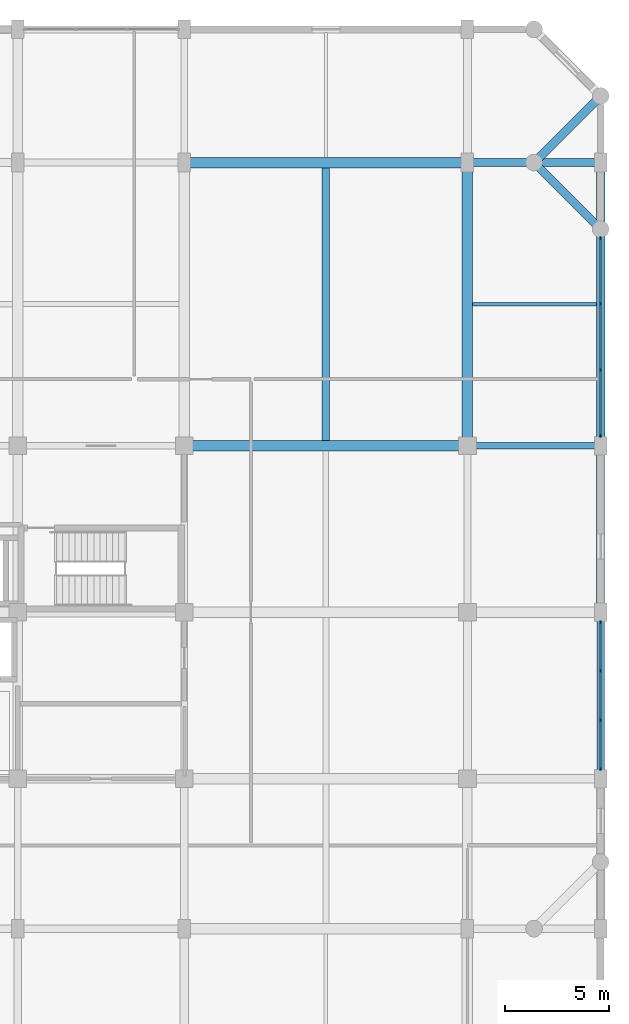
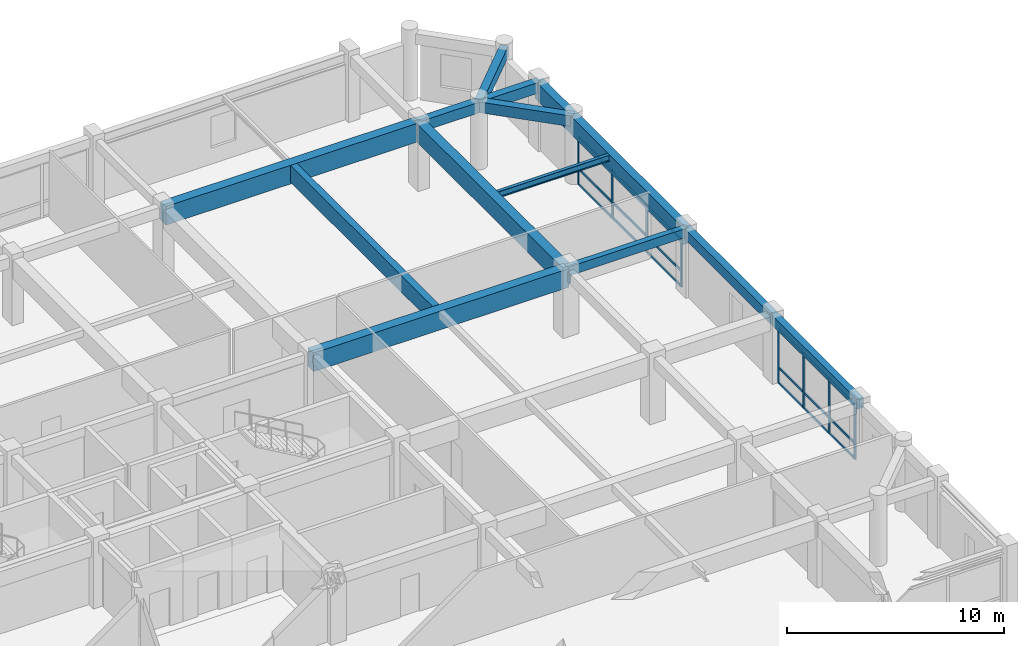
# One storey, part 13 of 27: 26 members, 12 beams, 2 elements without a shape of their own.
"""IFC4 building model written with IfcOpenShell, lengths in metres."""

from ifc_helpers import new_model, si_unit, direction, frame, origin, origin_2d, place, context, subcontext, project, spatial, rectangle, i_section, extrude, material, material_profile, profile_set, type_object, element, aggregate, save


model = new_model("IFC4")

# Units and contexts
model_context = context("Model", 3, precision=1e-05, world=origin(), true_north=direction((0.0, 1.0)))
body_context = subcontext(model_context, "Body", "Model", "MODEL_VIEW")
ifc_project = project(units=[si_unit("LENGTHUNIT", "METRE"), si_unit("AREAUNIT", "SQUARE_METRE"), si_unit("VOLUMEUNIT", "CUBIC_METRE"), si_unit("PLANEANGLEUNIT", "RADIAN"), si_unit("MASSUNIT", "GRAM", prefix="KILO")], contexts=[model_context])

# Site, building, storey
site_placement = place(None, origin())
site = spatial("IfcSite", under=ifc_project, at=site_placement, CompositionType="ELEMENT")
building_placement = place(site_placement, origin())
building = spatial("IfcBuilding", under=site, at=building_placement, Name="Vellmiral Cinema and Media Centre", CompositionType="ELEMENT")
storey_placement = place(building_placement, frame((0.0, 0.0, 19.800048828125)))
storey = spatial("IfcBuildingStorey", under=building, at=storey_placement, Name="L04", CompositionType="ELEMENT", Elevation=19.800048828125)

# Beams
ifc_material_1 = material(Name="Concrete C40/50", Category="concrete")
ifc_material_profile_1 = material_profile(ifc_material_1, rectangle(XDim=0.300048828125, YDim=0.5, at=origin_2d()), Name="RC 300x500")
ifc_profile_set_1 = profile_set([ifc_material_profile_1], Name="Concrete C40/50")
beam_type_1 = type_object("IfcBeamType", Name="BM-RC-300x500", PredefinedType="BEAM", material=ifc_profile_set_1)
beam_1_placement = place(storey_placement, frame((161.60009765625, 95.199951171875, 3.445068359375), z_axis=(1.0, 0.0, 0.0), x_axis=(0.0, 1.0, 0.0)))
element("IfcBeam", 1, at=beam_1_placement, inside=storey, type_object=beam_type_1, Name="Grid Beam L04-X047", PredefinedType="BEAM", context=body_context, shape_type="SweptSolid", body=[
    extrude(rectangle(XDim=0.300048828125, YDim=0.5, at=origin_2d()), origin(), (0.0, 0.0, 1.0), 6.39990234375),
])
ifc_material_2 = material(Name="Concrete C40/50", Category="concrete")
ifc_material_profile_2 = material_profile(ifc_material_2, rectangle(XDim=0.39990234375, YDim=0.60009765625, at=origin_2d()), Name="RC 400x600")
ifc_profile_set_2 = profile_set([ifc_material_profile_2], Name="Concrete C40/50")
beam_type_2 = type_object("IfcBeamType", Name="BM-RC-400x600", PredefinedType="BEAM", material=ifc_profile_set_2)
beam_2_placement = place(storey_placement, frame((161.60009765625, 108.800048828125, 3.39501953125), z_axis=(1.0, 0.0, 0.0), x_axis=(0.0, 1.0, 0.0)))
element("IfcBeam", 2, at=beam_2_placement, inside=storey, type_object=beam_type_2, Name="Grid Beam L04-X054", PredefinedType="BEAM", context=body_context, shape_type="SweptSolid", body=[
    extrude(rectangle(XDim=0.39990234375, YDim=0.60009765625, at=origin_2d()), origin(), (0.0, 0.0, 1.0), 6.39990234375),
])
ifc_material_3 = material(Name="Concrete C40/50", Category="concrete")
ifc_material_profile_3 = material_profile(ifc_material_3, rectangle(XDim=0.5, YDim=1.050048828125, at=origin_2d()), Name="RC 500x1050")
ifc_profile_set_3 = profile_set([ifc_material_profile_3], Name="Concrete C40/50")
beam_type_3 = type_object("IfcBeamType", Name="BM-RCG-500x1050", PredefinedType="BEAM", material=ifc_profile_set_3)
for number, where, z_axis, x_axis, name in (
    (3, (148.0, 95.199951171875, 3.169921875), (1.0, 0.0, 0.0), (0.0, 1.0, 0.0), "Grid Beam L04-X046"),
    (4, (148.0, 108.800048828125, 3.169921875), (1.0, 0.0, 0.0), (0.0, 1.0, 0.0), "Grid Beam L04-X053"),
    (5, (161.60009765625, 95.199951171875, 3.169921875), (0.0, 1.0, 0.0), (-1.0, 0.0, 0.0), "Grid Beam L04-Y108"),
):
    element("IfcBeam", number, at=place(storey_placement, frame(where, z_axis=z_axis, x_axis=x_axis)), inside=storey, type_object=beam_type_3, Name=name, PredefinedType="BEAM", context=body_context, shape_type="SweptSolid", body=[
        extrude(rectangle(XDim=0.5, YDim=1.050048828125, at=origin_2d()), origin(), (0.0, 0.0, 1.0), 13.60009765625),
    ])

# Curtain wall, members
ifc_material_4 = material(Name="Thermally Broken Aluminium and Triple Glazing", Category="aluminium")
curtain_wall_type = type_object("IfcCurtainWallType", Name="CW-TOWER-LOW-S", PredefinedType="USERDEFINED", material=ifc_material_4)
curtain_wall_1_placement = place(storey_placement, origin())
curtain_wall_1 = element("IfcCurtainWall", 6, at=curtain_wall_1_placement, inside=storey, type_object=curtain_wall_type, Name="Curtain Wall L04-B015", ObjectType="UNITISED CURTAIN WALL", PredefinedType="USERDEFINED")
ifc_material_5 = material(Name="Thermally Broken Anodised Aluminium", Category="aluminium")
ifc_material_profile_4 = material_profile(ifc_material_5, rectangle(XDim=0.06494140625, YDim=0.159912109375, at=origin_2d()), Name="MULL 65x160")
ifc_profile_set_4 = profile_set([ifc_material_profile_4], Name="Thermally Broken Anodised Aluminium")
member_type_1 = type_object("IfcMemberType", Name="CWM-65x160", PredefinedType="MULLION", material=ifc_profile_set_4)
member_1_placement = place(storey_placement, frame((168.0, 79.6826171875, 0.0), z_axis=(0.0, 0.0, 1.0), x_axis=(-1.0, 0.0, 0.0)))
member_1 = element("IfcMember", 7, at=member_1_placement, type_object=member_type_1, Name="CW-06 mullion 1", PredefinedType="MULLION", context=body_context, shape_type="SweptSolid", body=[
    extrude(rectangle(XDim=0.06494140625, YDim=0.159912109375, at=origin_2d()), origin(), (0.0, 0.0, 1.0), 3.099853515625),
])
member_2_placement = place(storey_placement, frame((168.0, 82.0166015625, 0.0), z_axis=(0.0, 0.0, 1.0), x_axis=(-1.0, 0.0, 0.0)))
member_2 = element("IfcMember", 8, at=member_2_placement, type_object=member_type_1, Name="CW-06 mullion 2", PredefinedType="MULLION", context=body_context, shape_type="SweptSolid", body=[
    extrude(rectangle(XDim=0.06494140625, YDim=0.159912109375, at=origin_2d()), origin(), (0.0, 0.0, 1.0), 3.099853515625),
])
member_3_placement = place(storey_placement, frame((168.0, 84.38330078125, 0.0), z_axis=(0.0, 0.0, 1.0), x_axis=(-1.0, 0.0, 0.0)))
member_3 = element("IfcMember", 9, at=member_3_placement, type_object=member_type_1, Name="CW-06 mullion 3", PredefinedType="MULLION", context=body_context, shape_type="SweptSolid", body=[
    extrude(rectangle(XDim=0.06494140625, YDim=0.159912109375, at=origin_2d()), origin(), (0.0, 0.0, 1.0), 3.099853515625),
])
member_4_placement = place(storey_placement, frame((168.0, 86.717529296875, 0.0), z_axis=(0.0, 0.0, 1.0), x_axis=(-1.0, 0.0, 0.0)))
member_4 = element("IfcMember", 10, at=member_4_placement, type_object=member_type_1, Name="CW-06 mullion 4", PredefinedType="MULLION", context=body_context, shape_type="SweptSolid", body=[
    extrude(rectangle(XDim=0.06494140625, YDim=0.159912109375, at=origin_2d()), origin(), (0.0, 0.0, 1.0), 3.099853515625),
])

curtain_wall_2_placement = place(storey_placement, origin())
curtain_wall_2 = element("IfcCurtainWall", 11, at=curtain_wall_2_placement, inside=storey, type_object=curtain_wall_type, Name="Curtain Wall L04-B017", ObjectType="UNITISED CURTAIN WALL", PredefinedType="USERDEFINED")
member_5_placement = place(storey_placement, frame((168.0, 95.6826171875, 0.0), z_axis=(0.0, 0.0, 1.0), x_axis=(-1.0, 0.0, 0.0)))
member_5 = element("IfcMember", 12, at=member_5_placement, type_object=member_type_1, Name="CW-06 mullion 1", PredefinedType="MULLION", context=body_context, shape_type="SweptSolid", body=[
    extrude(rectangle(XDim=0.06494140625, YDim=0.159912109375, at=origin_2d()), origin(), (0.0, 0.0, 1.0), 2.68505859375),
])
member_6_placement = place(storey_placement, frame((168.0, 98.833251953125, 0.0), z_axis=(0.0, 0.0, 1.0), x_axis=(-1.0, 0.0, 0.0)))
member_6 = element("IfcMember", 13, at=member_6_placement, type_object=member_type_1, Name="CW-06 mullion 2", PredefinedType="MULLION", context=body_context, shape_type="SweptSolid", body=[
    extrude(rectangle(XDim=0.06494140625, YDim=0.159912109375, at=origin_2d()), origin(), (0.0, 0.0, 1.0), 2.68505859375),
])
member_7_placement = place(storey_placement, frame((168.0, 102.0166015625, 0.0), z_axis=(0.0, 0.0, 1.0), x_axis=(-1.0, 0.0, 0.0)))
member_7 = element("IfcMember", 14, at=member_7_placement, type_object=member_type_1, Name="CW-06 mullion 3", PredefinedType="MULLION", context=body_context, shape_type="SweptSolid", body=[
    extrude(rectangle(XDim=0.06494140625, YDim=0.159912109375, at=origin_2d()), origin(), (0.0, 0.0, 1.0), 2.68505859375),
])
member_8_placement = place(storey_placement, frame((168.0, 105.16748046875, 0.0), z_axis=(0.0, 0.0, 1.0), x_axis=(-1.0, 0.0, 0.0)))
member_8 = element("IfcMember", 15, at=member_8_placement, type_object=member_type_1, Name="CW-06 mullion 4", PredefinedType="MULLION", context=body_context, shape_type="SweptSolid", body=[
    extrude(rectangle(XDim=0.06494140625, YDim=0.159912109375, at=origin_2d()), origin(), (0.0, 0.0, 1.0), 2.68505859375),
])

# Member
ifc_material_6 = material(Name="Thermally Broken Anodised Aluminium", Category="aluminium")
ifc_material_profile_5 = material_profile(ifc_material_6, rectangle(XDim=0.06494140625, YDim=0.135009765625, at=origin_2d()), Name="MULL 65x135")
ifc_profile_set_5 = profile_set([ifc_material_profile_5], Name="Thermally Broken Anodised Aluminium")
member_type_2 = type_object("IfcMemberType", Name="CWT-65x135", PredefinedType="USERDEFINED", material=ifc_profile_set_5)
member_9_placement = place(storey_placement, frame((168.0, 79.715087890625, 0.032470703125), z_axis=(0.0, 1.0, 0.0), x_axis=(-1.0, 0.0, 0.0)))
member_9 = element("IfcMember", 16, at=member_9_placement, type_object=member_type_2, Name="CW-06 transom 1.1", ObjectType="TRANSOM", PredefinedType="USERDEFINED", context=body_context, shape_type="SweptSolid", body=[
    extrude(rectangle(XDim=0.06494140625, YDim=0.135009765625, at=origin_2d()), origin(), (0.0, 0.0, 1.0), 2.26904296875),
])

member_10_placement = place(storey_placement, frame((168.0, 79.715087890625, 0.89990234375), z_axis=(0.0, 1.0, 0.0), x_axis=(-1.0, 0.0, 0.0)))
member_10 = element("IfcMember", 17, at=member_10_placement, type_object=member_type_2, Name="CW-06 transom 1.2", ObjectType="TRANSOM", PredefinedType="USERDEFINED", context=body_context, shape_type="SweptSolid", body=[
    extrude(rectangle(XDim=0.06494140625, YDim=0.135009765625, at=origin_2d()), origin(), (0.0, 0.0, 1.0), 2.26904296875),
])

member_11_placement = place(storey_placement, frame((168.0, 79.715087890625, 3.0673828125), z_axis=(0.0, 1.0, 0.0), x_axis=(-1.0, 0.0, 0.0)))
member_11 = element("IfcMember", 18, at=member_11_placement, type_object=member_type_2, Name="CW-06 transom 1.3", ObjectType="TRANSOM", PredefinedType="USERDEFINED", context=body_context, shape_type="SweptSolid", body=[
    extrude(rectangle(XDim=0.06494140625, YDim=0.135009765625, at=origin_2d()), origin(), (0.0, 0.0, 1.0), 2.26904296875),
])

member_12_placement = place(storey_placement, frame((168.0, 82.049072265625, 0.032470703125), z_axis=(0.0, 1.0, 0.0), x_axis=(-1.0, 0.0, 0.0)))
member_12 = element("IfcMember", 19, at=member_12_placement, type_object=member_type_2, Name="CW-06 transom 2.1", ObjectType="TRANSOM", PredefinedType="USERDEFINED", context=body_context, shape_type="SweptSolid", body=[
    extrude(rectangle(XDim=0.06494140625, YDim=0.135009765625, at=origin_2d()), origin(), (0.0, 0.0, 1.0), 2.3017578125),
])

member_13_placement = place(storey_placement, frame((168.0, 82.049072265625, 0.89990234375), z_axis=(0.0, 1.0, 0.0), x_axis=(-1.0, 0.0, 0.0)))
member_13 = element("IfcMember", 20, at=member_13_placement, type_object=member_type_2, Name="CW-06 transom 2.2", ObjectType="TRANSOM", PredefinedType="USERDEFINED", context=body_context, shape_type="SweptSolid", body=[
    extrude(rectangle(XDim=0.06494140625, YDim=0.135009765625, at=origin_2d()), origin(), (0.0, 0.0, 1.0), 2.3017578125),
])

member_14_placement = place(storey_placement, frame((168.0, 82.049072265625, 3.0673828125), z_axis=(0.0, 1.0, 0.0), x_axis=(-1.0, 0.0, 0.0)))
member_14 = element("IfcMember", 21, at=member_14_placement, type_object=member_type_2, Name="CW-06 transom 2.3", ObjectType="TRANSOM", PredefinedType="USERDEFINED", context=body_context, shape_type="SweptSolid", body=[
    extrude(rectangle(XDim=0.06494140625, YDim=0.135009765625, at=origin_2d()), origin(), (0.0, 0.0, 1.0), 2.3017578125),
])

member_15_placement = place(storey_placement, frame((168.0, 84.415771484375, 0.032470703125), z_axis=(0.0, 1.0, 0.0), x_axis=(-1.0, 0.0, 0.0)))
member_15 = element("IfcMember", 22, at=member_15_placement, type_object=member_type_2, Name="CW-06 transom 3.1", ObjectType="TRANSOM", PredefinedType="USERDEFINED", context=body_context, shape_type="SweptSolid", body=[
    extrude(rectangle(XDim=0.06494140625, YDim=0.135009765625, at=origin_2d()), origin(), (0.0, 0.0, 1.0), 2.269287109375),
])

member_16_placement = place(storey_placement, frame((168.0, 84.415771484375, 0.89990234375), z_axis=(0.0, 1.0, 0.0), x_axis=(-1.0, 0.0, 0.0)))
member_16 = element("IfcMember", 23, at=member_16_placement, type_object=member_type_2, Name="CW-06 transom 3.2", ObjectType="TRANSOM", PredefinedType="USERDEFINED", context=body_context, shape_type="SweptSolid", body=[
    extrude(rectangle(XDim=0.06494140625, YDim=0.135009765625, at=origin_2d()), origin(), (0.0, 0.0, 1.0), 2.269287109375),
])

member_17_placement = place(storey_placement, frame((168.0, 84.415771484375, 3.0673828125), z_axis=(0.0, 1.0, 0.0), x_axis=(-1.0, 0.0, 0.0)))
member_17 = element("IfcMember", 24, at=member_17_placement, type_object=member_type_2, Name="CW-06 transom 3.3", ObjectType="TRANSOM", PredefinedType="USERDEFINED", context=body_context, shape_type="SweptSolid", body=[
    extrude(rectangle(XDim=0.06494140625, YDim=0.135009765625, at=origin_2d()), origin(), (0.0, 0.0, 1.0), 2.269287109375),
])

aggregate(curtain_wall_1, [member_1, member_2, member_3, member_4, member_9, member_10, member_11, member_12, member_13, member_14, member_15, member_16, member_17])

member_18_placement = place(storey_placement, frame((168.0, 95.715087890625, 0.032470703125), z_axis=(0.0, 1.0, 0.0), x_axis=(-1.0, 0.0, 0.0)))
member_18 = element("IfcMember", 25, at=member_18_placement, type_object=member_type_2, Name="CW-06 transom 1.1", ObjectType="TRANSOM", PredefinedType="USERDEFINED", context=body_context, shape_type="SweptSolid", body=[
    extrude(rectangle(XDim=0.06494140625, YDim=0.135009765625, at=origin_2d()), origin(), (0.0, 0.0, 1.0), 3.085693359375),
])

member_19_placement = place(storey_placement, frame((168.0, 95.715087890625, 0.89990234375), z_axis=(0.0, 1.0, 0.0), x_axis=(-1.0, 0.0, 0.0)))
member_19 = element("IfcMember", 26, at=member_19_placement, type_object=member_type_2, Name="CW-06 transom 1.2", ObjectType="TRANSOM", PredefinedType="USERDEFINED", context=body_context, shape_type="SweptSolid", body=[
    extrude(rectangle(XDim=0.06494140625, YDim=0.135009765625, at=origin_2d()), origin(), (0.0, 0.0, 1.0), 3.085693359375),
])

member_20_placement = place(storey_placement, frame((168.0, 95.715087890625, 2.65234375), z_axis=(0.0, 1.0, 0.0), x_axis=(-1.0, 0.0, 0.0)))
member_20 = element("IfcMember", 27, at=member_20_placement, type_object=member_type_2, Name="CW-06 transom 1.3", ObjectType="TRANSOM", PredefinedType="USERDEFINED", context=body_context, shape_type="SweptSolid", body=[
    extrude(rectangle(XDim=0.06494140625, YDim=0.135009765625, at=origin_2d()), origin(), (0.0, 0.0, 1.0), 3.085693359375),
])

member_21_placement = place(storey_placement, frame((168.0, 98.86572265625, 0.032470703125), z_axis=(0.0, 1.0, 0.0), x_axis=(-1.0, 0.0, 0.0)))
member_21 = element("IfcMember", 28, at=member_21_placement, type_object=member_type_2, Name="CW-06 transom 2.1", ObjectType="TRANSOM", PredefinedType="USERDEFINED", context=body_context, shape_type="SweptSolid", body=[
    extrude(rectangle(XDim=0.06494140625, YDim=0.135009765625, at=origin_2d()), origin(), (0.0, 0.0, 1.0), 3.118408203125),
])

member_22_placement = place(storey_placement, frame((168.0, 98.86572265625, 0.89990234375), z_axis=(0.0, 1.0, 0.0), x_axis=(-1.0, 0.0, 0.0)))
member_22 = element("IfcMember", 29, at=member_22_placement, type_object=member_type_2, Name="CW-06 transom 2.2", ObjectType="TRANSOM", PredefinedType="USERDEFINED", context=body_context, shape_type="SweptSolid", body=[
    extrude(rectangle(XDim=0.06494140625, YDim=0.135009765625, at=origin_2d()), origin(), (0.0, 0.0, 1.0), 3.118408203125),
])

member_23_placement = place(storey_placement, frame((168.0, 98.86572265625, 2.65234375), z_axis=(0.0, 1.0, 0.0), x_axis=(-1.0, 0.0, 0.0)))
member_23 = element("IfcMember", 30, at=member_23_placement, type_object=member_type_2, Name="CW-06 transom 2.3", ObjectType="TRANSOM", PredefinedType="USERDEFINED", context=body_context, shape_type="SweptSolid", body=[
    extrude(rectangle(XDim=0.06494140625, YDim=0.135009765625, at=origin_2d()), origin(), (0.0, 0.0, 1.0), 3.118408203125),
])

member_24_placement = place(storey_placement, frame((168.0, 102.049072265625, 0.032470703125), z_axis=(0.0, 1.0, 0.0), x_axis=(-1.0, 0.0, 0.0)))
member_24 = element("IfcMember", 31, at=member_24_placement, type_object=member_type_2, Name="CW-06 transom 3.1", ObjectType="TRANSOM", PredefinedType="USERDEFINED", context=body_context, shape_type="SweptSolid", body=[
    extrude(rectangle(XDim=0.06494140625, YDim=0.135009765625, at=origin_2d()), origin(), (0.0, 0.0, 1.0), 3.0859375),
])

member_25_placement = place(storey_placement, frame((168.0, 102.049072265625, 0.89990234375), z_axis=(0.0, 1.0, 0.0), x_axis=(-1.0, 0.0, 0.0)))
member_25 = element("IfcMember", 32, at=member_25_placement, type_object=member_type_2, Name="CW-06 transom 3.2", ObjectType="TRANSOM", PredefinedType="USERDEFINED", context=body_context, shape_type="SweptSolid", body=[
    extrude(rectangle(XDim=0.06494140625, YDim=0.135009765625, at=origin_2d()), origin(), (0.0, 0.0, 1.0), 3.0859375),
])

member_26_placement = place(storey_placement, frame((168.0, 102.049072265625, 2.65234375), z_axis=(0.0, 1.0, 0.0), x_axis=(-1.0, 0.0, 0.0)))
member_26 = element("IfcMember", 33, at=member_26_placement, type_object=member_type_2, Name="CW-06 transom 3.3", ObjectType="TRANSOM", PredefinedType="USERDEFINED", context=body_context, shape_type="SweptSolid", body=[
    extrude(rectangle(XDim=0.06494140625, YDim=0.135009765625, at=origin_2d()), origin(), (0.0, 0.0, 1.0), 3.0859375),
])

aggregate(curtain_wall_2, [member_5, member_6, member_7, member_8, member_18, member_19, member_20, member_21, member_22, member_23, member_24, member_25, member_26])

# Beams
ifc_material_7 = material(Name="Concrete C40/50", Category="concrete")
ifc_material_profile_6 = material_profile(ifc_material_7, rectangle(XDim=0.35009765625, YDim=0.949951171875, at=origin_2d()), Name="RC 350x950")
ifc_profile_set_6 = profile_set([ifc_material_profile_6], Name="Concrete C40/50")
beam_type_4 = type_object("IfcBeamType", Name="JST-RCG-350x950", PredefinedType="JOIST", material=ifc_profile_set_6)
beam_3_placement = place(storey_placement, frame((154.800048828125, 95.449951171875, 3.219970703125), z_axis=(0.0, 1.0, 0.0), x_axis=(-1.0, 0.0, 0.0)))
element("IfcBeam", 34, at=beam_3_placement, inside=storey, type_object=beam_type_4, Name="Secondary Floor Joist L04-011", PredefinedType="JOIST", context=body_context, shape_type="SweptSolid", body=[
    extrude(rectangle(XDim=0.35009765625, YDim=0.949951171875, at=origin_2d()), origin(), (0.0, 0.0, 1.0), 13.10009765625),
])
ifc_material_8 = material(Name="Steel S355", Category="steel")
ifc_material_profile_7 = material_profile(ifc_material_8, i_section(OverallWidth=0.169921875, OverallDepth=0.360107421875, WebThickness=0.008056640625, FlangeThickness=0.0126953125, FilletRadius=0.01806640625, at=origin_2d()), Name="IPE 360")
ifc_profile_set_7 = profile_set([ifc_material_profile_7], Name="Steel S355")
beam_type_5 = type_object("IfcBeamType", Name="SBM-IPE360", PredefinedType="JOIST", material=ifc_profile_set_7)
beam_4_placement = place(storey_placement, frame((161.85009765625, 102.0, 3.514892578125), z_axis=(1.0, 0.0, 0.0), x_axis=(0.0, 1.0, 0.0)))
element("IfcBeam", 35, at=beam_4_placement, inside=storey, type_object=beam_type_5, Name="Secondary Floor Joist L04-013", PredefinedType="JOIST", context=body_context, shape_type="SweptSolid", body=[
    extrude(i_section(OverallWidth=0.169921875, OverallDepth=0.360107421875, WebThickness=0.008056640625, FlangeThickness=0.0126953125, FilletRadius=0.01806640625, at=origin_2d()), origin(), (0.0, 0.0, 1.0), 5.93994140625),
])
ifc_material_9 = material(Name="Concrete C40/50", Category="concrete")
ifc_material_profile_8 = material_profile(ifc_material_9, rectangle(XDim=0.35009765625, YDim=0.56005859375, at=origin_2d()), Name="RC 350x560")
ifc_profile_set_8 = profile_set([ifc_material_profile_8], Name="Concrete C40/50")
beam_type_6 = type_object("IfcBeamType", Name="SPD-RC-350x560", PredefinedType="SPANDREL", material=ifc_profile_set_8)
beam_5_placement = place(storey_placement, frame((168.0, 79.199951171875, 3.4150390625), z_axis=(0.0, 1.0, 0.0), x_axis=(-1.0, 0.0, 0.0)))
element("IfcBeam", 36, at=beam_5_placement, inside=storey, type_object=beam_type_6, Name="Grid Beam L04-Y112", PredefinedType="SPANDREL", context=body_context, shape_type="SweptSolid", body=[
    extrude(rectangle(XDim=0.35009765625, YDim=0.56005859375, at=origin_2d()), origin(), (0.0, 0.0, 1.0), 8.0),
])
ifc_material_10 = material(Name="Concrete C40/50", Category="concrete")
ifc_material_profile_9 = material_profile(ifc_material_10, rectangle(XDim=0.39990234375, YDim=0.60009765625, at=origin_2d()), Name="RC 400x600")
ifc_profile_set_9 = profile_set([ifc_material_profile_9], Name="Concrete C40/50")
beam_type_7 = type_object("IfcBeamType", Name="SPD-RC-400x600", PredefinedType="SPANDREL", material=ifc_profile_set_9)
for number, where, z_axis, x_axis, name in (
    (37, (164.800048828125, 108.800048828125, 3.39501953125), (0.707106781187, -0.707106781187, 0.0), (0.707106781187, 0.707106781187, 0.0), "Xamfra Chamfer Spandrel Beam L04-118"),
    (38, (164.800048828125, 108.800048828125, 3.39501953125), (0.707106781187, 0.707106781187, 0.0), (-0.707106781187, 0.707106781187, 0.0), "Xamfra Chamfer Spandrel Beam L04-119"),
):
    element("IfcBeam", number, at=place(storey_placement, frame(where, z_axis=z_axis, x_axis=x_axis)), inside=storey, type_object=beam_type_7, Name=name, PredefinedType="SPANDREL", context=body_context, shape_type="SweptSolid", body=[
        extrude(rectangle(XDim=0.39990234375, YDim=0.60009765625, at=origin_2d()), origin(), (0.0, 0.0, 1.0), 4.525390625),
    ])
ifc_material_11 = material(Name="Vosges Red Sandstone Masonry", Category="masonry")
ifc_material_profile_10 = material_profile(ifc_material_11, rectangle(XDim=0.3798828125, YDim=0.580078125, at=origin_2d()), Name="SAND 380x580")
ifc_profile_set_10 = profile_set([ifc_material_profile_10], Name="Vosges Red Sandstone Masonry")
beam_type_8 = type_object("IfcBeamType", Name="SPD-SAND-380x580", PredefinedType="SPANDREL", material=ifc_profile_set_10)
beam_6_placement = place(storey_placement, frame((168.0, 87.199951171875, 3.405029296875), z_axis=(0.0, 1.0, 0.0), x_axis=(-1.0, 0.0, 0.0)))
element("IfcBeam", 39, at=beam_6_placement, inside=storey, type_object=beam_type_8, Name="Grid Beam L04-Y113", PredefinedType="SPANDREL", context=body_context, shape_type="SweptSolid", body=[
    extrude(rectangle(XDim=0.3798828125, YDim=0.580078125, at=origin_2d()), origin(), (0.0, 0.0, 1.0), 8.0),
])
ifc_material_12 = material(Name="Vosges Red Sandstone Masonry", Category="masonry")
ifc_material_profile_11 = material_profile(ifc_material_12, rectangle(XDim=0.419921875, YDim=1.0, at=origin_2d()), Name="SAND 420x1000")
ifc_profile_set_11 = profile_set([ifc_material_profile_11], Name="Vosges Red Sandstone Masonry")
beam_type_9 = type_object("IfcBeamType", Name="SPD-SANDG-420x1000", PredefinedType="SPANDREL", material=ifc_profile_set_11)
beam_7_placement = place(storey_placement, frame((168.0, 95.199951171875, 3.195068359375), z_axis=(0.0, 1.0, 0.0), x_axis=(-1.0, 0.0, 0.0)))
element("IfcBeam", 40, at=beam_7_placement, inside=storey, type_object=beam_type_9, Name="Grid Beam L04-Y114", PredefinedType="SPANDREL", context=body_context, shape_type="SweptSolid", body=[
    extrude(rectangle(XDim=0.419921875, YDim=1.0, at=origin_2d()), origin(), (0.0, 0.0, 1.0), 13.60009765625),
])

save(model, "model.ifc")
